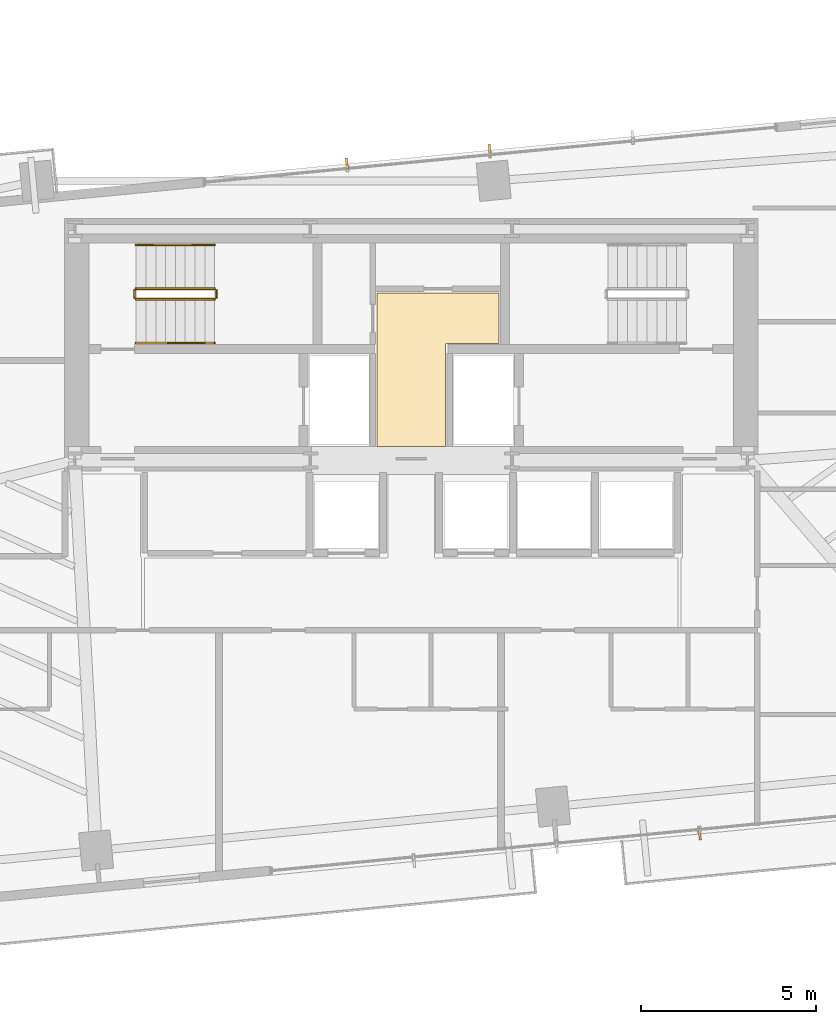
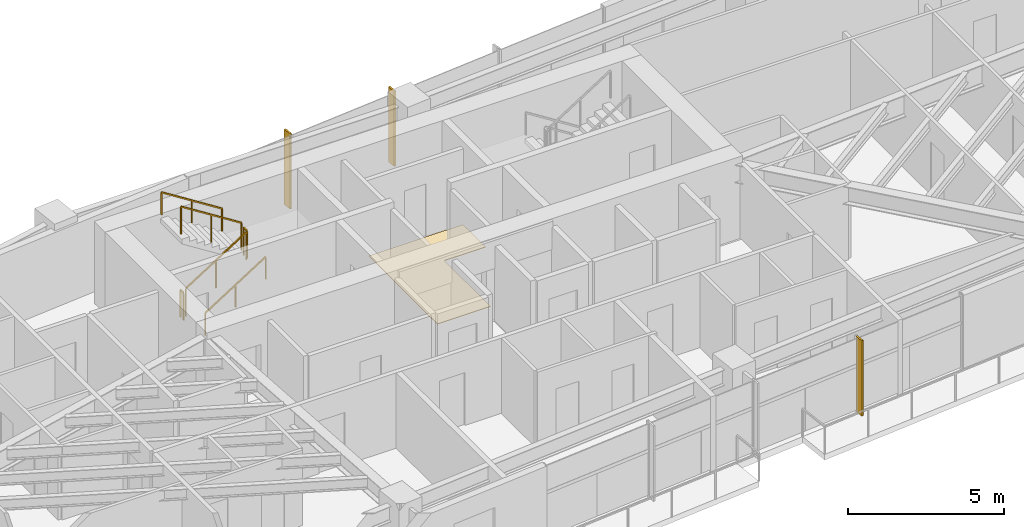
# One storey, part 24 of 25: 6 railings, 3 shading devices, 1 covering.
"""IFC4 building model written with IfcOpenShell, lengths in metres."""

from ifc_helpers import new_model, si_unit, direction, frame, origin, origin_2d, place, context, subcontext, project, spatial, polyline, rectangle, outline, extrude, source, transform, mapped, material, layer, layer_set, type_object, type_shapes, element, save


model = new_model("IFC4")

# Units and contexts
model_context = context("Model", 3, precision=1e-05, world=origin(), true_north=direction((0.0, 1.0)))
body_context = subcontext(model_context, "Body", "Model", "MODEL_VIEW")
ifc_project = project(units=[si_unit("LENGTHUNIT", "METRE"), si_unit("AREAUNIT", "SQUARE_METRE"), si_unit("VOLUMEUNIT", "CUBIC_METRE"), si_unit("PLANEANGLEUNIT", "RADIAN"), si_unit("MASSUNIT", "GRAM", prefix="KILO")], contexts=[model_context])

# Site, building, storey
site_placement = place(None, origin())
site = spatial("IfcSite", under=ifc_project, at=site_placement, CompositionType="ELEMENT")
building_placement = place(site_placement, origin())
building = spatial("IfcBuilding", under=site, at=building_placement, Name="Astriad Promenade Condominiums", CompositionType="ELEMENT")
storey_placement = place(building_placement, frame((0.0, 0.0, 103.39990234375)))
storey = spatial("IfcBuildingStorey", under=building, at=storey_placement, Name="L29", CompositionType="ELEMENT", Elevation=103.39990234375)

# Covering
ifc_material_1 = material(Name="Polished Lakefront Terrazzo Flooring")
ifc_layer = layer(ifc_material_1, 0.02001953125)
ifc_layer_set = layer_set([ifc_layer], Name="Polished Lakefront Terrazzo Flooring")
covering_type = type_object("IfcCoveringType", Name="COV-FLOR-TERRAZZO-20", PredefinedType="FLOORING", material=ifc_layer_set)
covering_placement = place(storey_placement, origin())
element("IfcCovering", 1, at=covering_placement, inside=storey, type_object=covering_type, Name="FLR-L29-CSL", PredefinedType="FLOORING", context=body_context, shape_type="SweptSolid", body=[
    extrude(outline(polyline([(36.97998046875, 20.699951171875), (36.97998046875, 17.7900390625), (35.02001953125, 17.7900390625), (35.02001953125, 22.179931640625), (38.5, 22.179931640625), (38.5, 20.739990234375), (37.02001953125, 20.739990234375), (37.01611328125, 20.73974609375), (37.01220703125, 20.7392578125), (37.00830078125, 20.73828125), (37.004638671875, 20.737060546875), (37.001220703125, 20.7353515625), (36.997802734375, 20.7333984375), (36.99462890625, 20.73095703125), (36.99169921875, 20.728271484375), (36.989013671875, 20.725341796875), (36.98681640625, 20.72216796875), (36.984619140625, 20.718994140625), (36.98291015625, 20.71533203125), (36.981689453125, 20.711669921875), (36.980712890625, 20.707763671875), (36.980224609375, 20.703857421875), (36.97998046875, 20.699951171875)])), origin(), (0.0, 0.0, 1.0), 0.02001953125),
])

# Shading devices
ifc_material_2 = material(Name="Anodised aluminium 6063-T6 Black Fin", Category="aluminium")
shading_device_type = type_object("IfcShadingDeviceType", Name="FIN-BLACK-320", PredefinedType="USERDEFINED", material=ifc_material_2)
shared_shape_1 = source(origin(), body_context, "Body", "SweptSolid", [
    extrude(rectangle(XDim=0.06494140625, YDim=0.320068359375, at=origin_2d()), origin(), (0.0, 0.0, 1.0), 2.93994140625),
])
type_shapes(shading_device_type, [shared_shape_1])
for number, where, z_axis, x_axis, name in (
    (2, (34.164306640625, 25.87158203125, 0.000244140625), (0.0, 0.0, 1.0), (0.995396198367, 0.09584575252, 0.0), "CW-L29-N-FIN-01"),
    (3, (38.240478515625, 26.263916015625, 0.000244140625), (0.0, 0.0, 1.0), (0.995396198367, 0.09584575252, 0.0), "CW-L29-N-FIN-02"),
    (4, (44.235595703125, 6.728515625, 0.000244140625), (0.0, 0.0, 1.0), (-0.995396198367, -0.09584575252, 0.0), "CW-L29-S-FIN-01"),
):
    element("IfcShadingDevice", number, at=place(storey_placement, frame(where, z_axis=z_axis, x_axis=x_axis)), inside=storey, type_object=shading_device_type, Name=name, ObjectType="FIN", PredefinedType="USERDEFINED", context=body_context, shape_type="MappedRepresentation", body=[
        mapped(shared_shape_1, transform((0.0, 0.0, 0.0), scale=1.0)),
    ])

# Railings
ifc_material_3 = material(Name="Painted Galvanised Steel Guardrail", Category="steel")
railing_type_1 = type_object("IfcRailingType", Name="GRD-STAIR-1100", PredefinedType="GUARDRAIL", material=ifc_material_3)
shared_shape_2 = source(origin(), body_context, "Body", "SweptSolid", [
    extrude(rectangle(XDim=0.048095703125, YDim=0.048095703125, at=origin_2d()), frame((0.0, 0.0, 1.076171875), z_axis=(0.0, 1.0, 0.0), x_axis=(-1.0, 0.0, 0.0)), (0.0, 0.0, 1.0), 0.199951171875),
    extrude(rectangle(XDim=0.0419921875, YDim=0.0419921875, at=origin_2d()), origin(), (0.0, 0.0, 1.0), 1.052001953125),
    extrude(rectangle(XDim=0.0419921875, YDim=0.0419921875, at=origin_2d()), frame((0.0, 0.199951171875, 0.0)), (0.0, 0.0, 1.0), 1.052001953125),
])
for number, where, name in (
    (5, (30.43994140625, 22.050048828125, 1.60009765625), "L29 ST-1 stair guard 2"),
    (6, (28.10009765625, 22.050048828125, 0.0), "L29 ST-1 stair guard 4"),
):
    element("IfcRailing", number, at=place(storey_placement, frame(where)), inside=storey, type_object=railing_type_1, Name=name, PredefinedType="GUARDRAIL", context=body_context, shape_type="MappedRepresentation", body=[
        mapped(shared_shape_2, transform((0.0, 0.0, 0.0), scale=1.0)),
    ])
shared_shape_3 = source(origin(), body_context, "Body", "SweptSolid", [
    extrude(rectangle(XDim=0.048095703125, YDim=0.048095703125, at=origin_2d()), frame((0.0, 0.0, 1.076171875), z_axis=(0.8442293374, 0.0, 0.53598211339), x_axis=(0.0, 1.0, 0.0)), (0.0, 0.0, 1.0), 2.6533203125),
    extrude(rectangle(XDim=0.0419921875, YDim=0.0419921875, at=origin_2d()), origin(), (0.0, 0.0, 1.0), 1.052001953125),
    extrude(rectangle(XDim=0.0419921875, YDim=0.0419921875, at=origin_2d()), frame((1.1201171875, 0.0, 0.7109375)), (0.0, 0.0, 1.0), 1.052001953125),
    extrude(rectangle(XDim=0.0419921875, YDim=0.0419921875, at=origin_2d()), frame((2.239990234375, 0.0, 1.422119140625)), (0.0, 0.0, 1.0), 1.052001953125),
])
railing_1_placement = place(storey_placement, frame((28.14990234375, 22.0, 0.177978515625)))
element("IfcRailing", 7, at=railing_1_placement, inside=storey, type_object=railing_type_1, Name="L29 ST-1 stair guard 1", PredefinedType="GUARDRAIL", context=body_context, shape_type="MappedRepresentation", body=[
    mapped(shared_shape_3, transform((0.0, 0.0, 0.0), scale=1.0)),
])
shared_shape_4 = source(origin(), body_context, "Body", "SweptSolid", [
    extrude(rectangle(XDim=0.048095703125, YDim=0.048095703125, at=origin_2d()), frame((0.0, 0.0, 1.076171875), z_axis=(-0.84418770128, 0.0, 0.536047689118), x_axis=(0.0, -1.0, 0.0)), (0.0, 0.0, 1.0), 2.6533203125),
    extrude(rectangle(XDim=0.0419921875, YDim=0.0419921875, at=origin_2d()), origin(), (0.0, 0.0, 1.0), 1.052001953125),
    extrude(rectangle(XDim=0.0419921875, YDim=0.0419921875, at=origin_2d()), frame((-1.1201171875, 0.0, 0.711181640625)), (0.0, 0.0, 1.0), 1.052001953125),
    extrude(rectangle(XDim=0.0419921875, YDim=0.0419921875, at=origin_2d()), frame((-2.239990234375, 0.0, 1.42236328125)), (0.0, 0.0, 1.0), 1.052001953125),
])
type_shapes(railing_type_1, [shared_shape_2, shared_shape_3, shared_shape_4])
railing_2_placement = place(storey_placement, frame((30.389892578125, 22.300048828125, 1.77783203125)))
element("IfcRailing", 8, at=railing_2_placement, inside=storey, type_object=railing_type_1, Name="L29 ST-1 stair guard 3", PredefinedType="GUARDRAIL", context=body_context, shape_type="MappedRepresentation", body=[
    mapped(shared_shape_4, transform((0.0, 0.0, 0.0), scale=1.0)),
])
ifc_material_4 = material(Name="Brushed Stainless Steel Handrail", Category="steel")
railing_type_2 = type_object("IfcRailingType", Name="HRL-STAIR-920", PredefinedType="HANDRAIL", material=ifc_material_4)
shared_shape_5 = source(origin(), body_context, "Body", "SweptSolid", [
    extrude(rectangle(XDim=0.048095703125, YDim=0.048095703125, at=origin_2d()), frame((0.0, 0.0, 0.8759765625), z_axis=(0.8442293374, 0.0, 0.53598211339), x_axis=(0.0, 1.0, 0.0)), (0.0, 0.0, 1.0), 2.6533203125),
    extrude(rectangle(XDim=0.0419921875, YDim=0.0419921875, at=origin_2d()), origin(), (0.0, 0.0, 1.0), 0.851806640625),
    extrude(rectangle(XDim=0.0419921875, YDim=0.0419921875, at=origin_2d()), frame((1.1201171875, 0.0, 0.7109375)), (0.0, 0.0, 1.0), 0.851806640625),
    extrude(rectangle(XDim=0.0419921875, YDim=0.0419921875, at=origin_2d()), frame((2.239990234375, 0.0, 1.422119140625)), (0.0, 0.0, 1.0), 0.851806640625),
])
railing_3_placement = place(storey_placement, frame((28.14990234375, 20.75, 0.177978515625)))
element("IfcRailing", 9, at=railing_3_placement, inside=storey, type_object=railing_type_2, Name="L29 ST-1 stair handrail 1", PredefinedType="HANDRAIL", context=body_context, shape_type="MappedRepresentation", body=[
    mapped(shared_shape_5, transform((0.0, 0.0, 0.0), scale=1.0)),
])
shared_shape_6 = source(origin(), body_context, "Body", "SweptSolid", [
    extrude(rectangle(XDim=0.048095703125, YDim=0.048095703125, at=origin_2d()), frame((0.0, 0.0, 0.8759765625), z_axis=(-0.84418770128, 0.0, 0.536047689118), x_axis=(0.0, -1.0, 0.0)), (0.0, 0.0, 1.0), 2.6533203125),
    extrude(rectangle(XDim=0.0419921875, YDim=0.0419921875, at=origin_2d()), origin(), (0.0, 0.0, 1.0), 0.851806640625),
    extrude(rectangle(XDim=0.0419921875, YDim=0.0419921875, at=origin_2d()), frame((-1.1201171875, 0.0, 0.711181640625)), (0.0, 0.0, 1.0), 0.851806640625),
    extrude(rectangle(XDim=0.0419921875, YDim=0.0419921875, at=origin_2d()), frame((-2.239990234375, 0.0, 1.42236328125)), (0.0, 0.0, 1.0), 0.851806640625),
])
type_shapes(railing_type_2, [shared_shape_5, shared_shape_6])
railing_4_placement = place(storey_placement, frame((30.389892578125, 23.550048828125, 1.77783203125)))
element("IfcRailing", 10, at=railing_4_placement, inside=storey, type_object=railing_type_2, Name="L29 ST-1 stair handrail 2", PredefinedType="HANDRAIL", context=body_context, shape_type="MappedRepresentation", body=[
    mapped(shared_shape_6, transform((0.0, 0.0, 0.0), scale=1.0)),
])

save(model, "model.ifc")
